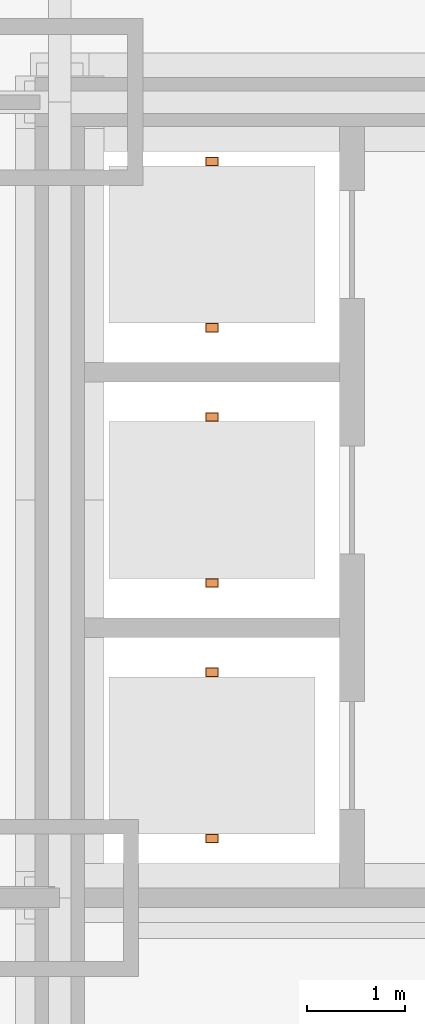
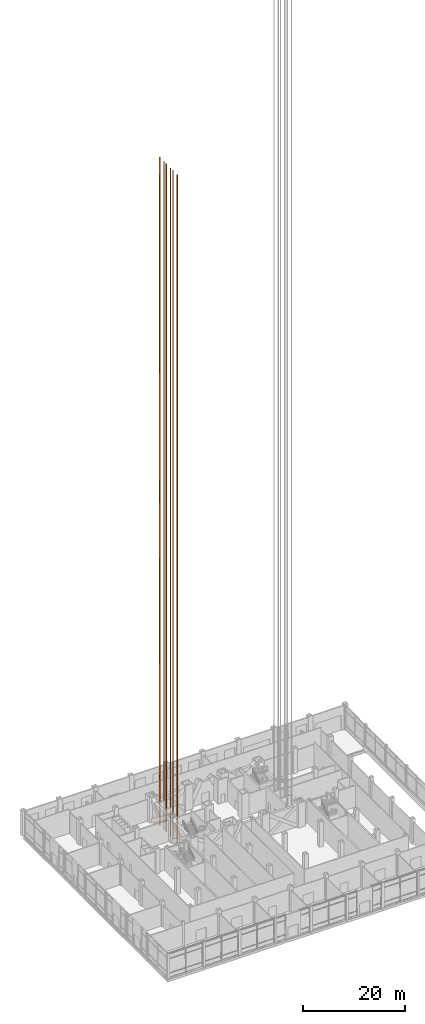
# One storey, part 32 of 35: 3 proxies.
"""IFC4 building model written with IfcOpenShell, lengths in metres."""

import ifcopenshell
import ifcopenshell.guid

model = None  # the IFC model being written
_history = None  # IfcOwnerHistory: only IFC2X3 demands one
_inside = {}  # id of a spatial element -> (the spatial element, [elements in it])
_under = {}  # id of a project, library or spatial element -> (it, [spatial elements below it])
_declared = {}  # id of a project -> (the project, [libraries it declares])
_typed = {}  # id of a type object -> (the type object, [elements of that type])
_made_of = {}  # id of a material, layer set ... -> (it, [elements and type objects made of it])


def new_model(schema):
    """Start an empty IFC model of exactly this schema.

    Asked for "IFC4X3", IfcOpenShell would pick the latest addendum, in which some entities
    have other attributes; the version numbers below select the first issue.
    IFC2X3 requires an IfcOwnerHistory on every rooted entity: one is made here for all.
    """
    global model, _history
    if schema == "IFC4X3":
        model = ifcopenshell.file(schema_version=(4, 3, 0, 0))
    else:
        model = ifcopenshell.file(schema=schema)
    _inside.clear()
    _under.clear()
    _declared.clear()
    _typed.clear()
    _made_of.clear()
    _history = None
    if model.schema == "IFC2X3":
        org = make("IfcOrganization", Name="unknown")
        user = make(
            "IfcPersonAndOrganization",
            ThePerson=make("IfcPerson", FamilyName="unknown"),
            TheOrganization=org,
        )
        app = make(
            "IfcApplication",
            ApplicationDeveloper=org,
            Version="unknown",
            ApplicationFullName="unknown",
            ApplicationIdentifier="unknown",
        )
        _history = make(
            "IfcOwnerHistory",
            OwningUser=user,
            OwningApplication=app,
            ChangeAction="ADDED",
            CreationDate=0,
        )
    return model


def make(cls, **values):
    """One entity of the class cls with the attributes given. An attribute that is None is left unset."""
    return model.create_entity(
        cls, **{name: value for name, value in values.items() if value is not None}
    )


def rooted(cls, **values):
    """An entity with a GlobalId (a new one), such as an element, a storey or a relation."""
    return make(cls, GlobalId=ifcopenshell.guid.new(), OwnerHistory=_history, **values)


def si_unit(unit_type, name, prefix=None):
    """IfcSIUnit, for example si_unit("LENGTHUNIT", "METRE", prefix="MILLI")."""
    return make("IfcSIUnit", UnitType=unit_type, Prefix=prefix, Name=name)


def assignment(units):
    """IfcUnitAssignment: the units of a project."""
    return None if units is None else make("IfcUnitAssignment", Units=units)


def point(xyz):
    """IfcCartesianPoint."""
    return None if xyz is None else make("IfcCartesianPoint", Coordinates=xyz)


def direction(xyz):
    """IfcDirection."""
    return None if xyz is None else make("IfcDirection", DirectionRatios=xyz)


def frame(location, z_axis=None, x_axis=None):
    """IfcAxis2Placement3D, a coordinate frame: its origin and axes. An axis left out is left unset."""
    return make(
        "IfcAxis2Placement3D",
        Location=point(location),
        Axis=direction(z_axis),
        RefDirection=direction(x_axis),
    )


def frame_2d(location, x_axis=None):
    """IfcAxis2Placement2D, a coordinate frame in the plane: its origin and x axis."""
    return make(
        "IfcAxis2Placement2D", Location=point(location), RefDirection=direction(x_axis)
    )


def origin():
    """The frame at (0, 0, 0) with its axes left unset."""
    return frame((0.0, 0.0, 0.0))


def origin_2d():
    """The frame at (0, 0) in the plane with its x axis left unset."""
    return frame_2d((0.0, 0.0))


def place(relative_to, where):
    """IfcLocalPlacement: puts the frame where relative to a parent placement (None: the world)."""
    return make(
        "IfcLocalPlacement", PlacementRelTo=relative_to, RelativePlacement=where
    )


def context(
    kind, dimensions, precision=None, world=None, true_north=None, identifier=None
):
    """IfcGeometricRepresentationContext, for example the 3D "Model" context."""
    return make(
        "IfcGeometricRepresentationContext",
        ContextIdentifier=identifier,
        ContextType=kind,
        CoordinateSpaceDimension=dimensions,
        Precision=precision,
        WorldCoordinateSystem=world,
        TrueNorth=true_north,
    )


def subcontext(parent, identifier, kind, view, scale=None):
    """IfcGeometricRepresentationSubContext, for example "Body" below "Model"."""
    return make(
        "IfcGeometricRepresentationSubContext",
        ContextIdentifier=identifier,
        ContextType=kind,
        ParentContext=parent,
        TargetScale=scale,
        TargetView=view,
    )


def project(units=None, contexts=None):
    """IfcProject with its units and contexts."""
    return rooted(
        "IfcProject",
        Name="project",
        RepresentationContexts=contexts,
        UnitsInContext=assignment(units),
    )


def spatial(cls, under=None, at=None, **own):
    """A site, building, storey or space (cls), placed at a placement, below another one or the project."""
    s = rooted(cls, ObjectPlacement=at, **own)
    if under is not None:
        _under.setdefault(under.id(), (under, []))[1].append(s)
    return s


def profile(cls, at=None, kind="AREA", **sizes):
    """A parametric profile (cls). Its sizes go by their IFC names, for example OverallWidth=200.0."""
    return make(cls, ProfileType=kind, Position=at, **sizes)


def rectangle(**sizes):
    """IfcRectangleProfileDef."""
    return profile("IfcRectangleProfileDef", **sizes)


def extrude(swept, where, along, depth):
    """IfcExtrudedAreaSolid: the profile swept, set in the frame where, extruded along a direction by depth."""
    return make(
        "IfcExtrudedAreaSolid",
        SweptArea=swept,
        Position=where,
        ExtrudedDirection=direction(along),
        Depth=depth,
    )


def shape(context_of_items, identifier, shape_type, items):
    """IfcShapeRepresentation: the items that make up one representation, for example the "Body"."""
    return make(
        "IfcShapeRepresentation",
        ContextOfItems=context_of_items,
        RepresentationIdentifier=identifier,
        RepresentationType=shape_type,
        Items=items,
    )


def material(Name=None, Category=None):
    """IfcMaterial."""
    return make("IfcMaterial", Name=Name, Category=Category)


def made_of(thing, what):
    """Note that an element or type object is made of a material, layer set ...; save() writes the relation."""
    if what is not None:
        _made_of.setdefault(what.id(), (what, []))[1].append(thing)
    return thing


def element(
    cls,
    number,
    at=None,
    inside=None,
    cuts=None,
    type_object=None,
    material=None,
    context=None,
    identifier="Body",
    shape_type=None,
    held_by="IfcProductDefinitionShape",
    body=None,
    shapes=None,
    **own,
):
    """One element of the class cls, such as IfcWall. Its Tag is "e" and its number.

    at: its placement. inside: the storey or other place that contains it. cuts: it is an
    opening in that element (IfcRelVoidsElement). A single representation is given by context,
    identifier, shape_type and body (its items); several are given by shapes. held_by: the class
    of the entity that holds the representations. save() writes the other relations.
    """
    e = rooted(cls, Tag="e%d" % number, ObjectPlacement=at, **own)
    if body is not None:
        shapes = [shape(context, identifier, shape_type, body)]
    if shapes is not None:
        e.Representation = make(held_by, Representations=shapes)
    if inside is not None:
        _inside.setdefault(inside.id(), (inside, []))[1].append(e)
    if cuts is not None:
        rooted(
            "IfcRelVoidsElement", RelatingBuildingElement=cuts, RelatedOpeningElement=e
        )
    if type_object is not None:
        _typed.setdefault(type_object.id(), (type_object, []))[1].append(e)
    return made_of(e, material)


def aggregate(whole, parts):
    """IfcRelAggregates: a whole, such as a stair, and the parts it consists of."""
    return rooted("IfcRelAggregates", RelatingObject=whole, RelatedObjects=parts)


def save(model, path):
    """Write the relations noted so far, then the file.

    IfcRelAggregates (storeys below a building ...), IfcRelContainedInSpatialStructure (elements
    in a storey), IfcRelDefinesByType, IfcRelAssociatesMaterial and IfcRelDeclares: one each for
    every whole, place, type object, material and project.
    """
    for whole, parts in _under.values():
        aggregate(whole, parts)
    for where, things in _inside.values():
        rooted(
            "IfcRelContainedInSpatialStructure",
            RelatedElements=things,
            RelatingStructure=where,
        )
    for kind, things in _typed.values():
        rooted("IfcRelDefinesByType", RelatedObjects=things, RelatingType=kind)
    for what, things in _made_of.values():
        rooted("IfcRelAssociatesMaterial", RelatedObjects=things, RelatingMaterial=what)
    for by, libraries in _declared.values():
        rooted("IfcRelDeclares", RelatingContext=by, RelatedDefinitions=libraries)
    model.write(path)


model = new_model("IFC4")

# Units and contexts
model_context = context("Model", 3, precision=1e-05, world=origin(), true_north=direction((0.0, 1.0)))
body_context = subcontext(model_context, "Body", "Model", "MODEL_VIEW")
ifc_project = project(units=[si_unit("LENGTHUNIT", "METRE"), si_unit("AREAUNIT", "SQUARE_METRE"), si_unit("VOLUMEUNIT", "CUBIC_METRE"), si_unit("PLANEANGLEUNIT", "RADIAN"), si_unit("MASSUNIT", "GRAM", prefix="KILO")], contexts=[model_context])

# Site, building, storey
site_placement = place(None, origin())
site = spatial("IfcSite", under=ifc_project, at=site_placement, CompositionType="ELEMENT")
building_placement = place(site_placement, origin())
building = spatial("IfcBuilding", under=site, at=building_placement, Name="Kopane Lantern Tower", CompositionType="ELEMENT")
storey_placement = place(building_placement, origin())
storey = spatial("IfcBuildingStorey", under=building, at=storey_placement, Name="L00", CompositionType="ELEMENT", Elevation=0.0)

# Proxies
ifc_material = material(Name="Steel S355JR", Category="steel")
proxy_placement = place(storey_placement, frame((17.75, 33.85009765625, -1.5), z_axis=(0.0, 0.0, 1.0), x_axis=(1.0, 0.0, 0.0)))
element("IfcBuildingElementProxy", 1, at=proxy_placement, inside=storey, material=ifc_material, Name="Lift guide rail frame LH1", ObjectType="LIFT GUIDE RAIL FRAME", PredefinedType="USERDEFINED", context=body_context, shape_type="SweptSolid", body=[
    extrude(rectangle(XDim=0.125, YDim=0.090087890625, at=origin_2d()), frame((0.0, -0.84521484375, 0.0)), (0.0, 0.0, 1.0), 159.89990234375),
    extrude(rectangle(XDim=0.125, YDim=0.090087890625, at=origin_2d()), frame((0.0, 0.844970703125, 0.0)), (0.0, 0.0, 1.0), 159.89990234375),
])
for number, where, z_axis, x_axis, name in (
    (2, (17.75, 36.449951171875, -1.5), (0.0, 0.0, 1.0), (1.0, 0.0, 0.0), "Lift guide rail frame LH2"),
    (3, (17.75, 39.050048828125, -1.5), (0.0, 0.0, 1.0), (1.0, 0.0, 0.0), "Lift guide rail frame LH3"),
):
    element("IfcBuildingElementProxy", number, at=place(storey_placement, frame(where, z_axis=z_axis, x_axis=x_axis)), inside=storey, material=ifc_material, Name=name, ObjectType="LIFT GUIDE RAIL FRAME", PredefinedType="USERDEFINED", context=body_context, shape_type="SweptSolid", body=[
        extrude(rectangle(XDim=0.125, YDim=0.090087890625, at=origin_2d()), frame((0.0, -0.844970703125, 0.0)), (0.0, 0.0, 1.0), 159.89990234375),
        extrude(rectangle(XDim=0.125, YDim=0.090087890625, at=origin_2d()), frame((0.0, 0.844970703125, 0.0)), (0.0, 0.0, 1.0), 159.89990234375),
    ])

save(model, "model.ifc")
